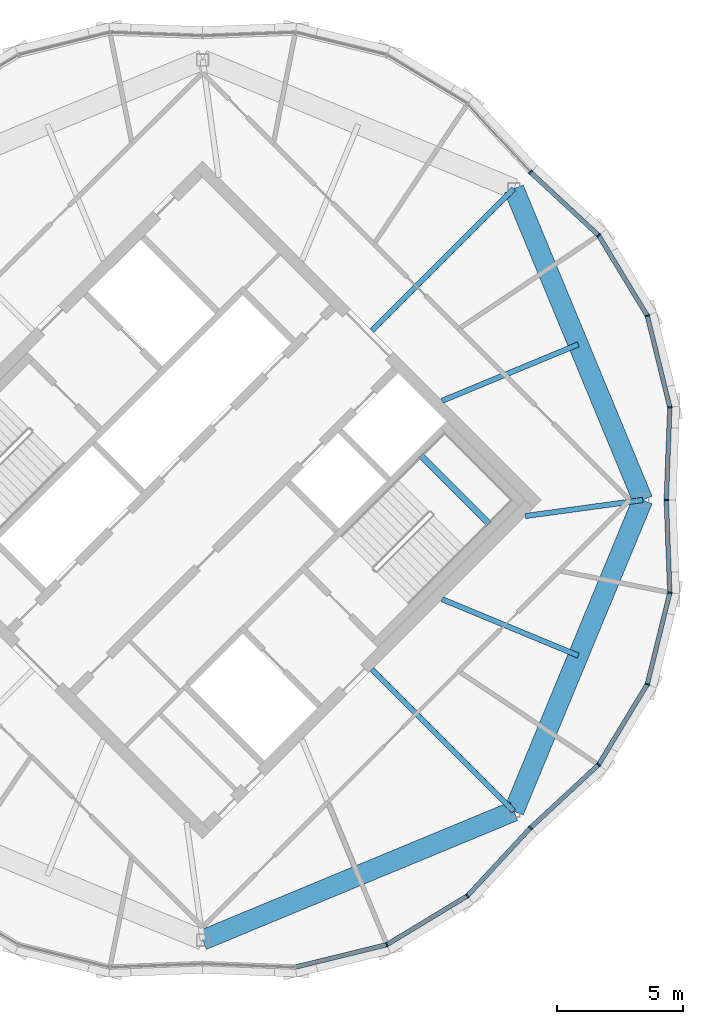
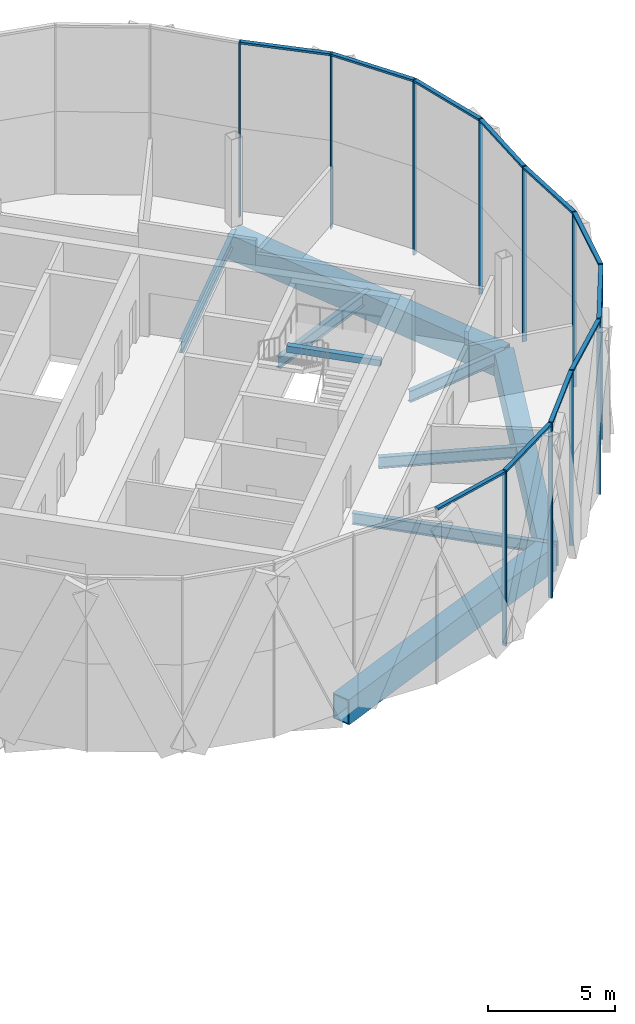
# One storey, part 10 of 22: 22 members, 9 beams, 3 elements without a shape of their own.
"""IFC4 building model written with IfcOpenShell, lengths in metres."""

import ifcopenshell
import ifcopenshell.guid

model = None  # the IFC model being written
_history = None  # IfcOwnerHistory: only IFC2X3 demands one
_inside = {}  # id of a spatial element -> (the spatial element, [elements in it])
_under = {}  # id of a project, library or spatial element -> (it, [spatial elements below it])
_declared = {}  # id of a project -> (the project, [libraries it declares])
_typed = {}  # id of a type object -> (the type object, [elements of that type])
_made_of = {}  # id of a material, layer set ... -> (it, [elements and type objects made of it])


def new_model(schema):
    """Start an empty IFC model of exactly this schema.

    Asked for "IFC4X3", IfcOpenShell would pick the latest addendum, in which some entities
    have other attributes; the version numbers below select the first issue.
    IFC2X3 requires an IfcOwnerHistory on every rooted entity: one is made here for all.
    """
    global model, _history
    if schema == "IFC4X3":
        model = ifcopenshell.file(schema_version=(4, 3, 0, 0))
    else:
        model = ifcopenshell.file(schema=schema)
    _inside.clear()
    _under.clear()
    _declared.clear()
    _typed.clear()
    _made_of.clear()
    _history = None
    if model.schema == "IFC2X3":
        org = make("IfcOrganization", Name="unknown")
        user = make(
            "IfcPersonAndOrganization",
            ThePerson=make("IfcPerson", FamilyName="unknown"),
            TheOrganization=org,
        )
        app = make(
            "IfcApplication",
            ApplicationDeveloper=org,
            Version="unknown",
            ApplicationFullName="unknown",
            ApplicationIdentifier="unknown",
        )
        _history = make(
            "IfcOwnerHistory",
            OwningUser=user,
            OwningApplication=app,
            ChangeAction="ADDED",
            CreationDate=0,
        )
    return model


def make(cls, **values):
    """One entity of the class cls with the attributes given. An attribute that is None is left unset."""
    return model.create_entity(
        cls, **{name: value for name, value in values.items() if value is not None}
    )


def rooted(cls, **values):
    """An entity with a GlobalId (a new one), such as an element, a storey or a relation."""
    return make(cls, GlobalId=ifcopenshell.guid.new(), OwnerHistory=_history, **values)


def si_unit(unit_type, name, prefix=None):
    """IfcSIUnit, for example si_unit("LENGTHUNIT", "METRE", prefix="MILLI")."""
    return make("IfcSIUnit", UnitType=unit_type, Prefix=prefix, Name=name)


def assignment(units):
    """IfcUnitAssignment: the units of a project."""
    return None if units is None else make("IfcUnitAssignment", Units=units)


def point(xyz):
    """IfcCartesianPoint."""
    return None if xyz is None else make("IfcCartesianPoint", Coordinates=xyz)


def direction(xyz):
    """IfcDirection."""
    return None if xyz is None else make("IfcDirection", DirectionRatios=xyz)


def frame(location, z_axis=None, x_axis=None):
    """IfcAxis2Placement3D, a coordinate frame: its origin and axes. An axis left out is left unset."""
    return make(
        "IfcAxis2Placement3D",
        Location=point(location),
        Axis=direction(z_axis),
        RefDirection=direction(x_axis),
    )


def frame_2d(location, x_axis=None):
    """IfcAxis2Placement2D, a coordinate frame in the plane: its origin and x axis."""
    return make(
        "IfcAxis2Placement2D", Location=point(location), RefDirection=direction(x_axis)
    )


def origin():
    """The frame at (0, 0, 0) with its axes left unset."""
    return frame((0.0, 0.0, 0.0))


def origin_2d():
    """The frame at (0, 0) in the plane with its x axis left unset."""
    return frame_2d((0.0, 0.0))


def place(relative_to, where):
    """IfcLocalPlacement: puts the frame where relative to a parent placement (None: the world)."""
    return make(
        "IfcLocalPlacement", PlacementRelTo=relative_to, RelativePlacement=where
    )


def context(
    kind, dimensions, precision=None, world=None, true_north=None, identifier=None
):
    """IfcGeometricRepresentationContext, for example the 3D "Model" context."""
    return make(
        "IfcGeometricRepresentationContext",
        ContextIdentifier=identifier,
        ContextType=kind,
        CoordinateSpaceDimension=dimensions,
        Precision=precision,
        WorldCoordinateSystem=world,
        TrueNorth=true_north,
    )


def subcontext(parent, identifier, kind, view, scale=None):
    """IfcGeometricRepresentationSubContext, for example "Body" below "Model"."""
    return make(
        "IfcGeometricRepresentationSubContext",
        ContextIdentifier=identifier,
        ContextType=kind,
        ParentContext=parent,
        TargetScale=scale,
        TargetView=view,
    )


def project(units=None, contexts=None):
    """IfcProject with its units and contexts."""
    return rooted(
        "IfcProject",
        Name="project",
        RepresentationContexts=contexts,
        UnitsInContext=assignment(units),
    )


def spatial(cls, under=None, at=None, **own):
    """A site, building, storey or space (cls), placed at a placement, below another one or the project."""
    s = rooted(cls, ObjectPlacement=at, **own)
    if under is not None:
        _under.setdefault(under.id(), (under, []))[1].append(s)
    return s


def profile(cls, at=None, kind="AREA", **sizes):
    """A parametric profile (cls). Its sizes go by their IFC names, for example OverallWidth=200.0."""
    return make(cls, ProfileType=kind, Position=at, **sizes)


def rectangle(**sizes):
    """IfcRectangleProfileDef."""
    return profile("IfcRectangleProfileDef", **sizes)


def hollow_rectangle(**sizes):
    """IfcRectangleHollowProfileDef."""
    return profile("IfcRectangleHollowProfileDef", **sizes)


def i_section(**sizes):
    """IfcIShapeProfileDef."""
    return profile("IfcIShapeProfileDef", **sizes)


def extrude(swept, where, along, depth):
    """IfcExtrudedAreaSolid: the profile swept, set in the frame where, extruded along a direction by depth."""
    return make(
        "IfcExtrudedAreaSolid",
        SweptArea=swept,
        Position=where,
        ExtrudedDirection=direction(along),
        Depth=depth,
    )


def shape(context_of_items, identifier, shape_type, items):
    """IfcShapeRepresentation: the items that make up one representation, for example the "Body"."""
    return make(
        "IfcShapeRepresentation",
        ContextOfItems=context_of_items,
        RepresentationIdentifier=identifier,
        RepresentationType=shape_type,
        Items=items,
    )


def material(Name=None, Category=None):
    """IfcMaterial."""
    return make("IfcMaterial", Name=Name, Category=Category)


def material_profile(
    of_material, cross_section, Name=None, Category=None, Priority=None
):
    """IfcMaterialProfile: a cross section and its material."""
    return make(
        "IfcMaterialProfile",
        Name=Name,
        Material=of_material,
        Profile=cross_section,
        Priority=Priority,
        Category=Category,
    )


def profile_set(profiles, Name=None, composite=None):
    """IfcMaterialProfileSet."""
    return make(
        "IfcMaterialProfileSet",
        Name=Name,
        MaterialProfiles=profiles,
        CompositeProfile=composite,
    )


def made_of(thing, what):
    """Note that an element or type object is made of a material, layer set ...; save() writes the relation."""
    if what is not None:
        _made_of.setdefault(what.id(), (what, []))[1].append(thing)
    return thing


def type_object(cls, material=None, **own):
    """A type object (cls), such as IfcWallType, which elements share."""
    return made_of(rooted(cls, **own), material)


def element(
    cls,
    number,
    at=None,
    inside=None,
    cuts=None,
    type_object=None,
    material=None,
    context=None,
    identifier="Body",
    shape_type=None,
    held_by="IfcProductDefinitionShape",
    body=None,
    shapes=None,
    **own,
):
    """One element of the class cls, such as IfcWall. Its Tag is "e" and its number.

    at: its placement. inside: the storey or other place that contains it. cuts: it is an
    opening in that element (IfcRelVoidsElement). A single representation is given by context,
    identifier, shape_type and body (its items); several are given by shapes. held_by: the class
    of the entity that holds the representations. save() writes the other relations.
    """
    e = rooted(cls, Tag="e%d" % number, ObjectPlacement=at, **own)
    if body is not None:
        shapes = [shape(context, identifier, shape_type, body)]
    if shapes is not None:
        e.Representation = make(held_by, Representations=shapes)
    if inside is not None:
        _inside.setdefault(inside.id(), (inside, []))[1].append(e)
    if cuts is not None:
        rooted(
            "IfcRelVoidsElement", RelatingBuildingElement=cuts, RelatedOpeningElement=e
        )
    if type_object is not None:
        _typed.setdefault(type_object.id(), (type_object, []))[1].append(e)
    return made_of(e, material)


def aggregate(whole, parts):
    """IfcRelAggregates: a whole, such as a stair, and the parts it consists of."""
    return rooted("IfcRelAggregates", RelatingObject=whole, RelatedObjects=parts)


def save(model, path):
    """Write the relations noted so far, then the file.

    IfcRelAggregates (storeys below a building ...), IfcRelContainedInSpatialStructure (elements
    in a storey), IfcRelDefinesByType, IfcRelAssociatesMaterial and IfcRelDeclares: one each for
    every whole, place, type object, material and project.
    """
    for whole, parts in _under.values():
        aggregate(whole, parts)
    for where, things in _inside.values():
        rooted(
            "IfcRelContainedInSpatialStructure",
            RelatedElements=things,
            RelatingStructure=where,
        )
    for kind, things in _typed.values():
        rooted("IfcRelDefinesByType", RelatedObjects=things, RelatingType=kind)
    for what, things in _made_of.values():
        rooted("IfcRelAssociatesMaterial", RelatedObjects=things, RelatingMaterial=what)
    for by, libraries in _declared.values():
        rooted("IfcRelDeclares", RelatingContext=by, RelatedDefinitions=libraries)
    model.write(path)


model = new_model("IFC4")

# Units and contexts
model_context = context("Model", 3, precision=1e-05, world=origin(), true_north=direction((0.0, 1.0)))
body_context = subcontext(model_context, "Body", "Model", "MODEL_VIEW")
ifc_project = project(units=[si_unit("LENGTHUNIT", "METRE"), si_unit("AREAUNIT", "SQUARE_METRE"), si_unit("VOLUMEUNIT", "CUBIC_METRE"), si_unit("PLANEANGLEUNIT", "RADIAN"), si_unit("MASSUNIT", "GRAM", prefix="KILO")], contexts=[model_context])

# Site, building, storey
site_placement = place(None, origin())
site = spatial("IfcSite", under=ifc_project, at=site_placement, CompositionType="ELEMENT")
building_placement = place(site_placement, origin())
building = spatial("IfcBuilding", under=site, at=building_placement, Name="Ogive Gate Towers", CompositionType="ELEMENT")
storey_placement = place(building_placement, frame((0.0, 0.0, 285.60009765625)))
storey = spatial("IfcBuildingStorey", under=building, at=storey_placement, Name="L67", CompositionType="ELEMENT", Elevation=285.60009765625)

# Beams
ifc_material_1 = material(Name="Steel SM460", Category="steel")
ifc_material_profile_1 = material_profile(ifc_material_1, hollow_rectangle(XDim=0.800048828125, YDim=1.199951171875, WallThickness=0.050048828125, at=origin_2d()), Name="BX 1200x800x50")
ifc_profile_set_1 = profile_set([ifc_material_profile_1], Name="Steel SM460")
beam_type_1 = type_object("IfcBeamType", Name="Edge girder BX 1200x800x50", PredefinedType="BEAM", material=ifc_profile_set_1)
for number, where, z_axis, x_axis, name in (
    (1, (36.0, -17.455078125, -0.900146484375), (0.923876732551, 0.382690191996, 0.0), (-0.382690191996, 0.923876732551, 0.0), "T2/L67/SBM018"),
    (2, (48.342529296875, -12.342529296875, -0.900146484375), (0.382690191996, 0.923876732551, 0.0), (-0.923876732551, 0.382690191996, 0.0), "T2/L67/SBM019"),
    (3, (53.455078125, 0.0, -0.900146484375), (-0.382690191996, 0.923876732551, 0.0), (-0.923876732551, -0.382690191996, 0.0), "T2/L67/SBM020"),
):
    element("IfcBeam", number, at=place(storey_placement, frame(where, z_axis=z_axis, x_axis=x_axis)), inside=storey, type_object=beam_type_1, Name=name, PredefinedType="BEAM", context=body_context, shape_type="SweptSolid", body=[
        extrude(hollow_rectangle(XDim=0.800048828125, YDim=1.199951171875, WallThickness=0.050048828125, at=origin_2d()), origin(), (0.0, 0.0, 1.0), 13.359619140625),
    ])
ifc_material_2 = material(Name="Concrete C40/50", Category="concrete")
ifc_material_profile_2 = material_profile(ifc_material_2, rectangle(XDim=0.25, YDim=0.300048828125, at=origin_2d()), Name="RC 250x300")
ifc_profile_set_2 = profile_set([ifc_material_profile_2], Name="Concrete C40/50")
beam_type_2 = type_object("IfcBeamType", Name="Landing bearer RC 250x300", PredefinedType="BEAM", material=ifc_profile_set_2)
beam_1_placement = place(storey_placement, frame((47.35888671875, -0.94482421875, 1.75), z_axis=(-0.707138693938, 0.707074866995, 0.0), x_axis=(-0.707074866995, -0.707138693938, 0.0)))
element("IfcBeam", 4, at=beam_1_placement, inside=storey, type_object=beam_type_2, Name="T2 L67 stair 2 landing bearer 1", PredefinedType="BEAM", context=body_context, shape_type="SweptSolid", body=[
    extrude(rectangle(XDim=0.25, YDim=0.300048828125, at=origin_2d()), origin(), (0.0, 0.0, 1.0), 3.824951171875),
])
ifc_material_3 = material(Name="Steel SM355", Category="steel")
ifc_material_profile_3 = material_profile(ifc_material_3, i_section(OverallWidth=0.2099609375, OverallDepth=0.550048828125, WebThickness=0.010986328125, FlangeThickness=0.01708984375, FilletRadius=0.02392578125, at=origin_2d()), Name="IPE 550")
ifc_profile_set_3 = profile_set([ifc_material_profile_3], Name="Steel SM355")
beam_type_3 = type_object("IfcBeamType", Name="Radial floor beam IPE 550", PredefinedType="BEAM", material=ifc_profile_set_3)
beam_2_placement = place(storey_placement, frame((42.717529296875, -6.717529296875, -0.5751953125), z_axis=(0.707106781187, -0.707106781187, 0.0), x_axis=(0.707106781187, 0.707106781187, 0.0)))
element("IfcBeam", 5, at=beam_2_placement, inside=storey, type_object=beam_type_3, Name="T2/L67/SBM005", PredefinedType="BEAM", context=body_context, shape_type="SweptSolid", body=[
    extrude(i_section(OverallWidth=0.2099609375, OverallDepth=0.550048828125, WebThickness=0.010986328125, FlangeThickness=0.01708984375, FilletRadius=0.02392578125, at=origin_2d()), origin(), (0.0, 0.0, 1.0), 7.954833984375),
])
beam_3_placement = place(storey_placement, frame((45.5, -3.93505859375, -0.5751953125), z_axis=(0.923872213225, -0.382701102209, 0.0), x_axis=(0.382701102209, 0.923872213225, 0.0)))
element("IfcBeam", 6, at=beam_3_placement, inside=storey, type_object=beam_type_3, Name="T2/L67/SBM006", PredefinedType="BEAM", context=body_context, shape_type="SweptSolid", body=[
    extrude(i_section(OverallWidth=0.2099609375, OverallDepth=0.550048828125, WebThickness=0.010986328125, FlangeThickness=0.01708984375, FilletRadius=0.02392578125, at=origin_2d()), origin(), (0.0, 0.0, 1.0), 5.843505859375),
])
beam_4_placement = place(storey_placement, frame((48.798583984375, -0.636474609375, -0.5751953125), z_axis=(0.99078744401, 0.135426145155, 0.0), x_axis=(-0.135426145155, 0.99078744401, 0.0)))
element("IfcBeam", 7, at=beam_4_placement, inside=storey, type_object=beam_type_3, Name="T2/L67/SBM007", PredefinedType="BEAM", context=body_context, shape_type="SweptSolid", body=[
    extrude(i_section(OverallWidth=0.2099609375, OverallDepth=0.550048828125, WebThickness=0.010986328125, FlangeThickness=0.01708984375, FilletRadius=0.02392578125, at=origin_2d()), origin(), (0.0, 0.0, 1.0), 4.69970703125),
])
beam_5_placement = place(storey_placement, frame((45.5, 3.93505859375, -0.5751953125), z_axis=(0.923872213225, 0.382701102209, 0.0), x_axis=(-0.382701102209, 0.923872213225, 0.0)))
element("IfcBeam", 8, at=beam_5_placement, inside=storey, type_object=beam_type_3, Name="T2/L67/SBM008", PredefinedType="BEAM", context=body_context, shape_type="SweptSolid", body=[
    extrude(i_section(OverallWidth=0.2099609375, OverallDepth=0.550048828125, WebThickness=0.010986328125, FlangeThickness=0.01708984375, FilletRadius=0.02392578125, at=origin_2d()), origin(), (0.0, 0.0, 1.0), 5.843505859375),
])
beam_6_placement = place(storey_placement, frame((42.717529296875, 6.717529296875, -0.5751953125), z_axis=(0.707106781187, 0.707106781187, 0.0), x_axis=(-0.707106781187, 0.707106781187, 0.0)))
element("IfcBeam", 9, at=beam_6_placement, inside=storey, type_object=beam_type_3, Name="T2/L67/SBM009", PredefinedType="BEAM", context=body_context, shape_type="SweptSolid", body=[
    extrude(i_section(OverallWidth=0.2099609375, OverallDepth=0.550048828125, WebThickness=0.010986328125, FlangeThickness=0.01708984375, FilletRadius=0.02392578125, at=origin_2d()), origin(), (0.0, 0.0, 1.0), 7.954833984375),
])

# Curtain wall, members
ifc_material_4 = material(Name="Pale metal aluminium", Category="aluminium")
curtain_wall_type = type_object("IfcCurtainWallType", Name="Tower unitised wall, high zone", PredefinedType="NOTDEFINED", material=ifc_material_4)
curtain_wall_1_placement = place(storey_placement, origin())
curtain_wall_1 = element("IfcCurtainWall", 10, at=curtain_wall_1_placement, inside=storey, type_object=curtain_wall_type, Name="CW2 T2 ECW01", PredefinedType="NOTDEFINED")
ifc_material_profile_4 = material_profile(ifc_material_4, rectangle(XDim=0.179931640625, YDim=0.06005859375, at=origin_2d()), Name="60 x 180 aluminium box")
ifc_profile_set_4 = profile_set([ifc_material_profile_4], Name="Pale metal aluminium")
member_type_1 = type_object("IfcMemberType", Name="Tower unitised wall, high zone mullion 60 x 180", PredefinedType="MULLION", material=ifc_profile_set_4)
member_1_placement = place(storey_placement, frame((54.39013671875, 0.00048828125, -0.300048828125), z_axis=(0.0, 0.0, 1.0), x_axis=(0.999285520255, -0.037794827812, 0.0)))
member_1 = element("IfcMember", 11, at=member_1_placement, type_object=member_type_1, Name="CW2 mullion", PredefinedType="MULLION", context=body_context, shape_type="SweptSolid", body=[
    extrude(rectangle(XDim=0.179931640625, YDim=0.06005859375, at=origin_2d()), origin(), (0.0, 0.0, 1.0), 8.39990234375),
])
member_2_placement = place(storey_placement, frame((54.529296875, 3.677001953125, -0.300048828125), z_axis=(0.0, 0.0, 1.0), x_axis=(0.99485068103, 0.101351479779, 0.0)))
member_2 = element("IfcMember", 12, at=member_2_placement, type_object=member_type_1, Name="CW2 mullion", PredefinedType="MULLION", context=body_context, shape_type="SweptSolid", body=[
    extrude(rectangle(XDim=0.179931640625, YDim=0.06005859375, at=origin_2d()), origin(), (0.0, 0.0, 1.0), 8.39990234375),
])
member_3_placement = place(storey_placement, frame((53.637939453125, 7.305908203125, -0.300048828125), z_axis=(0.0, 0.0, 1.0), x_axis=(0.923879532511, 0.382683432365, 0.0)))
member_3 = element("IfcMember", 13, at=member_3_placement, type_object=member_type_1, Name="CW2 mullion", PredefinedType="MULLION", context=body_context, shape_type="SweptSolid", body=[
    extrude(rectangle(XDim=0.179931640625, YDim=0.06005859375, at=origin_2d()), origin(), (0.0, 0.0, 1.0), 8.39990234375),
])
member_4_placement = place(storey_placement, frame((51.7021484375, 10.502197265625, -0.300048828125), z_axis=(0.0, 0.0, 1.0), x_axis=(0.775120954363, 0.631812872699, 0.0)))
member_4 = element("IfcMember", 14, at=member_4_placement, type_object=member_type_1, Name="CW2 mullion", PredefinedType="MULLION", context=body_context, shape_type="SweptSolid", body=[
    extrude(rectangle(XDim=0.179931640625, YDim=0.06005859375, at=origin_2d()), origin(), (0.0, 0.0, 1.0), 8.39990234375),
])
member_5_placement = place(storey_placement, frame((49.00390625, 13.00341796875, -0.300048828125), z_axis=(0.0, 0.0, 1.0), x_axis=(0.679863789608, 0.733338412727, 0.0)))
member_5 = element("IfcMember", 15, at=member_5_placement, type_object=member_type_1, Name="CW2 mullion", PredefinedType="MULLION", context=body_context, shape_type="SweptSolid", body=[
    extrude(rectangle(XDim=0.179931640625, YDim=0.06005859375, at=origin_2d()), origin(), (0.0, 0.0, 1.0), 8.39990234375),
])

curtain_wall_2_placement = place(storey_placement, origin())
curtain_wall_2 = element("IfcCurtainWall", 16, at=curtain_wall_2_placement, inside=storey, type_object=curtain_wall_type, Name="CW2 T2 ECW07", PredefinedType="NOTDEFINED")
member_6_placement = place(storey_placement, frame((43.305908203125, -17.637939453125, -0.300048828125), z_axis=(0.0, 0.0, 1.0), x_axis=(0.382683432365, -0.923879532511, 0.0)))
member_6 = element("IfcMember", 17, at=member_6_placement, type_object=member_type_1, Name="CW2 mullion", PredefinedType="MULLION", context=body_context, shape_type="SweptSolid", body=[
    extrude(rectangle(XDim=0.179931640625, YDim=0.06005859375, at=origin_2d()), origin(), (0.0, 0.0, 1.0), 8.39990234375),
])
member_7_placement = place(storey_placement, frame((46.502197265625, -15.7021484375, -0.300048828125), z_axis=(0.0, 0.0, 1.0), x_axis=(0.631812872699, -0.775120954363, 0.0)))
member_7 = element("IfcMember", 18, at=member_7_placement, type_object=member_type_1, Name="CW2 mullion", PredefinedType="MULLION", context=body_context, shape_type="SweptSolid", body=[
    extrude(rectangle(XDim=0.179931640625, YDim=0.06005859375, at=origin_2d()), origin(), (0.0, 0.0, 1.0), 8.39990234375),
])
member_8_placement = place(storey_placement, frame((49.00341796875, -13.00390625, -0.300048828125), z_axis=(0.0, 0.0, 1.0), x_axis=(0.733338412727, -0.679863789608, 0.0)))
member_8 = element("IfcMember", 19, at=member_8_placement, type_object=member_type_1, Name="CW2 mullion", PredefinedType="MULLION", context=body_context, shape_type="SweptSolid", body=[
    extrude(rectangle(XDim=0.179931640625, YDim=0.06005859375, at=origin_2d()), origin(), (0.0, 0.0, 1.0), 8.39990234375),
])

curtain_wall_3_placement = place(storey_placement, origin())
curtain_wall_3 = element("IfcCurtainWall", 20, at=curtain_wall_3_placement, inside=storey, type_object=curtain_wall_type, Name="CW2 T2 ECW08", PredefinedType="NOTDEFINED")
member_9_placement = place(storey_placement, frame((51.7021484375, -10.502197265625, -0.300048828125), z_axis=(0.0, 0.0, 1.0), x_axis=(0.775120954363, -0.631812872699, 0.0)))
member_9 = element("IfcMember", 21, at=member_9_placement, type_object=member_type_1, Name="CW2 mullion", PredefinedType="MULLION", context=body_context, shape_type="SweptSolid", body=[
    extrude(rectangle(XDim=0.179931640625, YDim=0.06005859375, at=origin_2d()), origin(), (0.0, 0.0, 1.0), 8.39990234375),
])
member_10_placement = place(storey_placement, frame((53.637939453125, -7.305908203125, -0.300048828125), z_axis=(0.0, 0.0, 1.0), x_axis=(0.923879532511, -0.382683432365, 0.0)))
member_10 = element("IfcMember", 22, at=member_10_placement, type_object=member_type_1, Name="CW2 mullion", PredefinedType="MULLION", context=body_context, shape_type="SweptSolid", body=[
    extrude(rectangle(XDim=0.179931640625, YDim=0.06005859375, at=origin_2d()), origin(), (0.0, 0.0, 1.0), 8.39990234375),
])
member_11_placement = place(storey_placement, frame((54.529296875, -3.677001953125, -0.300048828125), z_axis=(0.0, 0.0, 1.0), x_axis=(0.99485068103, -0.101351479779, 0.0)))
member_11 = element("IfcMember", 23, at=member_11_placement, type_object=member_type_1, Name="CW2 mullion", PredefinedType="MULLION", context=body_context, shape_type="SweptSolid", body=[
    extrude(rectangle(XDim=0.179931640625, YDim=0.06005859375, at=origin_2d()), origin(), (0.0, 0.0, 1.0), 8.39990234375),
])

# Member
ifc_material_profile_5 = material_profile(ifc_material_4, rectangle(XDim=0.179931640625, YDim=0.10009765625, at=origin_2d()), Name="100 x 180 aluminium box")
ifc_profile_set_5 = profile_set([ifc_material_profile_5], Name="Pale metal aluminium")
member_type_2 = type_object("IfcMemberType", Name="Tower unitised wall, high zone transom 100 x 180", PredefinedType="USERDEFINED", material=ifc_profile_set_5)
member_12_placement = place(storey_placement, frame((54.39111328125, 0.030517578125, 8.0498046875), z_axis=(0.03783225687, 0.999284103916, 0.0), x_axis=(-0.999284103916, 0.03783225687, 0.0)))
member_12 = element("IfcMember", 24, at=member_12_placement, type_object=member_type_2, Name="CW2 transom", ObjectType="TRANSOM", PredefinedType="USERDEFINED", context=body_context, shape_type="SweptSolid", body=[
    extrude(rectangle(XDim=0.179931640625, YDim=0.10009765625, at=origin_2d()), origin(), (0.0, 0.0, 1.0), 3.620361328125),
])

member_13_placement = place(storey_placement, frame((54.522216796875, 3.70458984375, 8.0498046875), z_axis=(-0.238506074242, 0.971141005493, 0.0), x_axis=(-0.971141005493, -0.238506074242, 0.0)))
member_13 = element("IfcMember", 25, at=member_13_placement, type_object=member_type_2, Name="CW2 transom", ObjectType="TRANSOM", PredefinedType="USERDEFINED", context=body_context, shape_type="SweptSolid", body=[
    extrude(rectangle(XDim=0.179931640625, YDim=0.10009765625, at=origin_2d()), origin(), (0.0, 0.0, 1.0), 3.679931640625),
])

member_14_placement = place(storey_placement, frame((53.623046875, 7.330078125, 8.0498046875), z_axis=(-0.518013498205, 0.855372442669, 0.0), x_axis=(-0.855372442669, -0.518013498205, 0.0)))
member_14 = element("IfcMember", 26, at=member_14_placement, type_object=member_type_2, Name="CW2 transom", ObjectType="TRANSOM", PredefinedType="USERDEFINED", context=body_context, shape_type="SweptSolid", body=[
    extrude(rectangle(XDim=0.179931640625, YDim=0.10009765625, at=origin_2d()), origin(), (0.0, 0.0, 1.0), 3.679931640625),
])

member_15_placement = place(storey_placement, frame((51.68115234375, 10.521484375, 8.0498046875), z_axis=(-0.733335999654, 0.679866392471, 0.0), x_axis=(-0.679866392471, -0.733335999654, 0.0)))
member_15 = element("IfcMember", 27, at=member_15_placement, type_object=member_type_2, Name="CW2 transom", ObjectType="TRANSOM", PredefinedType="USERDEFINED", context=body_context, shape_type="SweptSolid", body=[
    extrude(rectangle(XDim=0.179931640625, YDim=0.10009765625, at=origin_2d()), origin(), (0.0, 0.0, 1.0), 3.620849609375),
])

aggregate(curtain_wall_1, [member_1, member_2, member_12, member_3, member_13, member_4, member_14, member_5, member_15])

member_16_placement = place(storey_placement, frame((39.70458984375, -18.522216796875, 8.0498046875), z_axis=(0.971141005493, 0.238506074242, 0.0), x_axis=(-0.238506074242, 0.971141005493, 0.0)))
member_16 = element("IfcMember", 28, at=member_16_placement, type_object=member_type_2, Name="CW2 transom", ObjectType="TRANSOM", PredefinedType="USERDEFINED", context=body_context, shape_type="SweptSolid", body=[
    extrude(rectangle(XDim=0.179931640625, YDim=0.10009765625, at=origin_2d()), origin(), (0.0, 0.0, 1.0), 3.679931640625),
])

member_17_placement = place(storey_placement, frame((43.330078125, -17.623046875, 8.0498046875), z_axis=(0.855372442669, 0.518013498205, 0.0), x_axis=(-0.518013498205, 0.855372442669, 0.0)))
member_17 = element("IfcMember", 29, at=member_17_placement, type_object=member_type_2, Name="CW2 transom", ObjectType="TRANSOM", PredefinedType="USERDEFINED", context=body_context, shape_type="SweptSolid", body=[
    extrude(rectangle(XDim=0.179931640625, YDim=0.10009765625, at=origin_2d()), origin(), (0.0, 0.0, 1.0), 3.679931640625),
])

member_18_placement = place(storey_placement, frame((46.521484375, -15.68115234375, 8.0498046875), z_axis=(0.679866392471, 0.733335999654, 0.0), x_axis=(-0.733335999654, 0.679866392471, 0.0)))
member_18 = element("IfcMember", 30, at=member_18_placement, type_object=member_type_2, Name="CW2 transom", ObjectType="TRANSOM", PredefinedType="USERDEFINED", context=body_context, shape_type="SweptSolid", body=[
    extrude(rectangle(XDim=0.179931640625, YDim=0.10009765625, at=origin_2d()), origin(), (0.0, 0.0, 1.0), 3.620849609375),
])

aggregate(curtain_wall_2, [member_6, member_16, member_7, member_17, member_8, member_18])

member_19_placement = place(storey_placement, frame((49.02587890625, -12.983154296875, 8.0498046875), z_axis=(0.733335999654, 0.679866392471, 0.0), x_axis=(-0.679866392471, 0.733335999654, 0.0)))
member_19 = element("IfcMember", 31, at=member_19_placement, type_object=member_type_2, Name="CW2 transom", ObjectType="TRANSOM", PredefinedType="USERDEFINED", context=body_context, shape_type="SweptSolid", body=[
    extrude(rectangle(XDim=0.179931640625, YDim=0.10009765625, at=origin_2d()), origin(), (0.0, 0.0, 1.0), 3.620849609375),
])

member_20_placement = place(storey_placement, frame((51.716796875, -10.477783203125, 8.0498046875), z_axis=(0.518013498205, 0.855372442669, 0.0), x_axis=(-0.855372442669, 0.518013498205, 0.0)))
member_20 = element("IfcMember", 32, at=member_20_placement, type_object=member_type_2, Name="CW2 transom", ObjectType="TRANSOM", PredefinedType="USERDEFINED", context=body_context, shape_type="SweptSolid", body=[
    extrude(rectangle(XDim=0.179931640625, YDim=0.10009765625, at=origin_2d()), origin(), (0.0, 0.0, 1.0), 3.679931640625),
])

member_21_placement = place(storey_placement, frame((53.64453125, -7.2783203125, 8.0498046875), z_axis=(0.238506074242, 0.971141005493, 0.0), x_axis=(-0.971141005493, 0.238506074242, 0.0)))
member_21 = element("IfcMember", 33, at=member_21_placement, type_object=member_type_2, Name="CW2 transom", ObjectType="TRANSOM", PredefinedType="USERDEFINED", context=body_context, shape_type="SweptSolid", body=[
    extrude(rectangle(XDim=0.179931640625, YDim=0.10009765625, at=origin_2d()), origin(), (0.0, 0.0, 1.0), 3.679931640625),
])

member_22_placement = place(storey_placement, frame((54.528076171875, -3.648193359375, 8.0498046875), z_axis=(-0.03783225687, 0.999284103916, 0.0), x_axis=(-0.999284103916, -0.03783225687, 0.0)))
member_22 = element("IfcMember", 34, at=member_22_placement, type_object=member_type_2, Name="CW2 transom", ObjectType="TRANSOM", PredefinedType="USERDEFINED", context=body_context, shape_type="SweptSolid", body=[
    extrude(rectangle(XDim=0.179931640625, YDim=0.10009765625, at=origin_2d()), origin(), (0.0, 0.0, 1.0), 3.620361328125),
])

aggregate(curtain_wall_3, [member_9, member_19, member_10, member_20, member_11, member_21, member_22])

save(model, "model.ifc")
